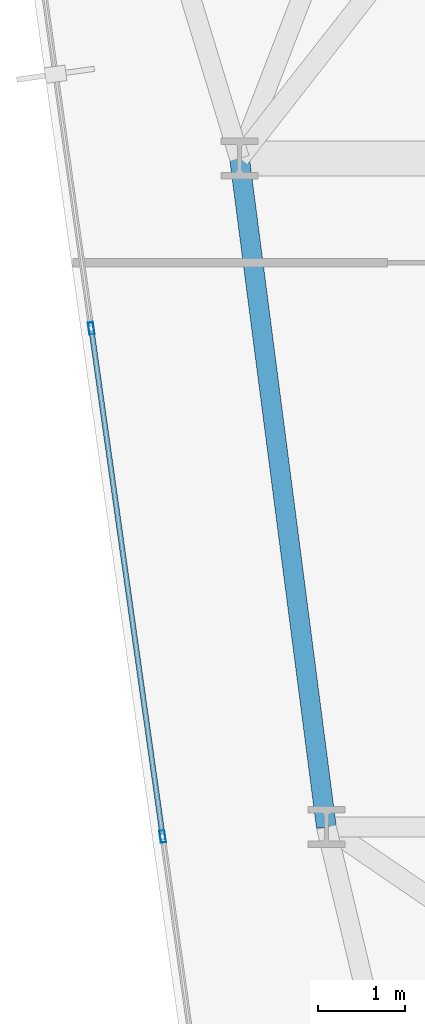
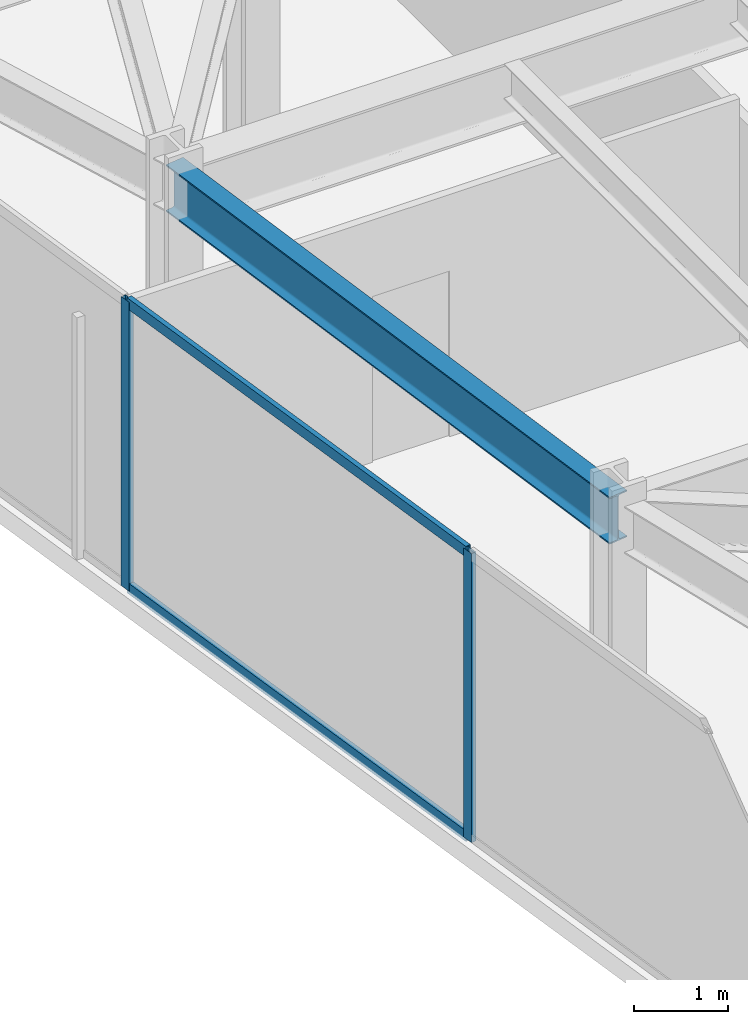
# One storey, part 5 of 26: 4 members, 1 beam, 1 element without a shape of its own.
"""IFC4 building model written with IfcOpenShell, lengths in metres."""

import ifcopenshell
import ifcopenshell.guid

model = None  # the IFC model being written
_history = None  # IfcOwnerHistory: only IFC2X3 demands one
_inside = {}  # id of a spatial element -> (the spatial element, [elements in it])
_under = {}  # id of a project, library or spatial element -> (it, [spatial elements below it])
_declared = {}  # id of a project -> (the project, [libraries it declares])
_typed = {}  # id of a type object -> (the type object, [elements of that type])
_made_of = {}  # id of a material, layer set ... -> (it, [elements and type objects made of it])


def new_model(schema):
    """Start an empty IFC model of exactly this schema.

    Asked for "IFC4X3", IfcOpenShell would pick the latest addendum, in which some entities
    have other attributes; the version numbers below select the first issue.
    IFC2X3 requires an IfcOwnerHistory on every rooted entity: one is made here for all.
    """
    global model, _history
    if schema == "IFC4X3":
        model = ifcopenshell.file(schema_version=(4, 3, 0, 0))
    else:
        model = ifcopenshell.file(schema=schema)
    _inside.clear()
    _under.clear()
    _declared.clear()
    _typed.clear()
    _made_of.clear()
    _history = None
    if model.schema == "IFC2X3":
        org = make("IfcOrganization", Name="unknown")
        user = make(
            "IfcPersonAndOrganization",
            ThePerson=make("IfcPerson", FamilyName="unknown"),
            TheOrganization=org,
        )
        app = make(
            "IfcApplication",
            ApplicationDeveloper=org,
            Version="unknown",
            ApplicationFullName="unknown",
            ApplicationIdentifier="unknown",
        )
        _history = make(
            "IfcOwnerHistory",
            OwningUser=user,
            OwningApplication=app,
            ChangeAction="ADDED",
            CreationDate=0,
        )
    return model


def make(cls, **values):
    """One entity of the class cls with the attributes given. An attribute that is None is left unset."""
    return model.create_entity(
        cls, **{name: value for name, value in values.items() if value is not None}
    )


def rooted(cls, **values):
    """An entity with a GlobalId (a new one), such as an element, a storey or a relation."""
    return make(cls, GlobalId=ifcopenshell.guid.new(), OwnerHistory=_history, **values)


def si_unit(unit_type, name, prefix=None):
    """IfcSIUnit, for example si_unit("LENGTHUNIT", "METRE", prefix="MILLI")."""
    return make("IfcSIUnit", UnitType=unit_type, Prefix=prefix, Name=name)


def assignment(units):
    """IfcUnitAssignment: the units of a project."""
    return None if units is None else make("IfcUnitAssignment", Units=units)


def point(xyz):
    """IfcCartesianPoint."""
    return None if xyz is None else make("IfcCartesianPoint", Coordinates=xyz)


def direction(xyz):
    """IfcDirection."""
    return None if xyz is None else make("IfcDirection", DirectionRatios=xyz)


def frame(location, z_axis=None, x_axis=None):
    """IfcAxis2Placement3D, a coordinate frame: its origin and axes. An axis left out is left unset."""
    return make(
        "IfcAxis2Placement3D",
        Location=point(location),
        Axis=direction(z_axis),
        RefDirection=direction(x_axis),
    )


def frame_2d(location, x_axis=None):
    """IfcAxis2Placement2D, a coordinate frame in the plane: its origin and x axis."""
    return make(
        "IfcAxis2Placement2D", Location=point(location), RefDirection=direction(x_axis)
    )


def origin():
    """The frame at (0, 0, 0) with its axes left unset."""
    return frame((0.0, 0.0, 0.0))


def origin_2d():
    """The frame at (0, 0) in the plane with its x axis left unset."""
    return frame_2d((0.0, 0.0))


def place(relative_to, where):
    """IfcLocalPlacement: puts the frame where relative to a parent placement (None: the world)."""
    return make(
        "IfcLocalPlacement", PlacementRelTo=relative_to, RelativePlacement=where
    )


def context(
    kind, dimensions, precision=None, world=None, true_north=None, identifier=None
):
    """IfcGeometricRepresentationContext, for example the 3D "Model" context."""
    return make(
        "IfcGeometricRepresentationContext",
        ContextIdentifier=identifier,
        ContextType=kind,
        CoordinateSpaceDimension=dimensions,
        Precision=precision,
        WorldCoordinateSystem=world,
        TrueNorth=true_north,
    )


def subcontext(parent, identifier, kind, view, scale=None):
    """IfcGeometricRepresentationSubContext, for example "Body" below "Model"."""
    return make(
        "IfcGeometricRepresentationSubContext",
        ContextIdentifier=identifier,
        ContextType=kind,
        ParentContext=parent,
        TargetScale=scale,
        TargetView=view,
    )


def project(units=None, contexts=None):
    """IfcProject with its units and contexts."""
    return rooted(
        "IfcProject",
        Name="project",
        RepresentationContexts=contexts,
        UnitsInContext=assignment(units),
    )


def spatial(cls, under=None, at=None, **own):
    """A site, building, storey or space (cls), placed at a placement, below another one or the project."""
    s = rooted(cls, ObjectPlacement=at, **own)
    if under is not None:
        _under.setdefault(under.id(), (under, []))[1].append(s)
    return s


def profile(cls, at=None, kind="AREA", **sizes):
    """A parametric profile (cls). Its sizes go by their IFC names, for example OverallWidth=200.0."""
    return make(cls, ProfileType=kind, Position=at, **sizes)


def hollow_rectangle(**sizes):
    """IfcRectangleHollowProfileDef."""
    return profile("IfcRectangleHollowProfileDef", **sizes)


def i_section(**sizes):
    """IfcIShapeProfileDef."""
    return profile("IfcIShapeProfileDef", **sizes)


def extrude(swept, where, along, depth):
    """IfcExtrudedAreaSolid: the profile swept, set in the frame where, extruded along a direction by depth."""
    return make(
        "IfcExtrudedAreaSolid",
        SweptArea=swept,
        Position=where,
        ExtrudedDirection=direction(along),
        Depth=depth,
    )


def shape(context_of_items, identifier, shape_type, items):
    """IfcShapeRepresentation: the items that make up one representation, for example the "Body"."""
    return make(
        "IfcShapeRepresentation",
        ContextOfItems=context_of_items,
        RepresentationIdentifier=identifier,
        RepresentationType=shape_type,
        Items=items,
    )


def material(Name=None, Category=None):
    """IfcMaterial."""
    return make("IfcMaterial", Name=Name, Category=Category)


def layer(
    of_material, thickness, ventilated=None, Name=None, Category=None, Priority=None
):
    """IfcMaterialLayer: one layer of a wall or slab, of a material (None: an air gap)."""
    return make(
        "IfcMaterialLayer",
        Material=of_material,
        LayerThickness=thickness,
        IsVentilated=ventilated,
        Name=Name,
        Category=Category,
        Priority=Priority,
    )


def layer_set(layers, Name=None):
    """IfcMaterialLayerSet."""
    return make("IfcMaterialLayerSet", MaterialLayers=layers, LayerSetName=Name)


def material_profile(
    of_material, cross_section, Name=None, Category=None, Priority=None
):
    """IfcMaterialProfile: a cross section and its material."""
    return make(
        "IfcMaterialProfile",
        Name=Name,
        Material=of_material,
        Profile=cross_section,
        Priority=Priority,
        Category=Category,
    )


def profile_set(profiles, Name=None, composite=None):
    """IfcMaterialProfileSet."""
    return make(
        "IfcMaterialProfileSet",
        Name=Name,
        MaterialProfiles=profiles,
        CompositeProfile=composite,
    )


def made_of(thing, what):
    """Note that an element or type object is made of a material, layer set ...; save() writes the relation."""
    if what is not None:
        _made_of.setdefault(what.id(), (what, []))[1].append(thing)
    return thing


def type_object(cls, material=None, **own):
    """A type object (cls), such as IfcWallType, which elements share."""
    return made_of(rooted(cls, **own), material)


def element(
    cls,
    number,
    at=None,
    inside=None,
    cuts=None,
    type_object=None,
    material=None,
    context=None,
    identifier="Body",
    shape_type=None,
    held_by="IfcProductDefinitionShape",
    body=None,
    shapes=None,
    **own,
):
    """One element of the class cls, such as IfcWall. Its Tag is "e" and its number.

    at: its placement. inside: the storey or other place that contains it. cuts: it is an
    opening in that element (IfcRelVoidsElement). A single representation is given by context,
    identifier, shape_type and body (its items); several are given by shapes. held_by: the class
    of the entity that holds the representations. save() writes the other relations.
    """
    e = rooted(cls, Tag="e%d" % number, ObjectPlacement=at, **own)
    if body is not None:
        shapes = [shape(context, identifier, shape_type, body)]
    if shapes is not None:
        e.Representation = make(held_by, Representations=shapes)
    if inside is not None:
        _inside.setdefault(inside.id(), (inside, []))[1].append(e)
    if cuts is not None:
        rooted(
            "IfcRelVoidsElement", RelatingBuildingElement=cuts, RelatedOpeningElement=e
        )
    if type_object is not None:
        _typed.setdefault(type_object.id(), (type_object, []))[1].append(e)
    return made_of(e, material)


def aggregate(whole, parts):
    """IfcRelAggregates: a whole, such as a stair, and the parts it consists of."""
    return rooted("IfcRelAggregates", RelatingObject=whole, RelatedObjects=parts)


def save(model, path):
    """Write the relations noted so far, then the file.

    IfcRelAggregates (storeys below a building ...), IfcRelContainedInSpatialStructure (elements
    in a storey), IfcRelDefinesByType, IfcRelAssociatesMaterial and IfcRelDeclares: one each for
    every whole, place, type object, material and project.
    """
    for whole, parts in _under.values():
        aggregate(whole, parts)
    for where, things in _inside.values():
        rooted(
            "IfcRelContainedInSpatialStructure",
            RelatedElements=things,
            RelatingStructure=where,
        )
    for kind, things in _typed.values():
        rooted("IfcRelDefinesByType", RelatedObjects=things, RelatingType=kind)
    for what, things in _made_of.values():
        rooted("IfcRelAssociatesMaterial", RelatedObjects=things, RelatingMaterial=what)
    for by, libraries in _declared.values():
        rooted("IfcRelDeclares", RelatingContext=by, RelatedDefinitions=libraries)
    model.write(path)


model = new_model("IFC4")

# Units and contexts
model_context = context("Model", 3, precision=1e-05, world=origin(), true_north=direction((0.0, 1.0)))
body_context = subcontext(model_context, "Body", "Model", "MODEL_VIEW")
ifc_project = project(units=[si_unit("LENGTHUNIT", "METRE"), si_unit("AREAUNIT", "SQUARE_METRE"), si_unit("VOLUMEUNIT", "CUBIC_METRE"), si_unit("PLANEANGLEUNIT", "RADIAN"), si_unit("MASSUNIT", "GRAM", prefix="KILO")], contexts=[model_context])

# Site, building, storey
site_placement = place(None, origin())
site = spatial("IfcSite", under=ifc_project, at=site_placement, CompositionType="ELEMENT")
building_placement = place(site_placement, origin())
building = spatial("IfcBuilding", under=site, at=building_placement, Name="Kravanh Interchange Tower", CompositionType="ELEMENT")
storey_placement = place(building_placement, frame((0.0, 0.0, 100.0)))
storey = spatial("IfcBuildingStorey", under=building, at=storey_placement, Name="L23", CompositionType="ELEMENT", Elevation=100.0)

# Curtain wall, members
ifc_material_1 = material(Name="Anodised Bronze Aluminium", Category="aluminium")
ifc_layer = layer(ifc_material_1, 0.179931640625)
ifc_layer_set = layer_set([ifc_layer], Name="Unitised Curtain Wall System CW-Z2 Mid Office")
curtain_wall_type = type_object("IfcCurtainWallType", Name="Unitised Curtain Wall System CW-Z2 Mid Office", PredefinedType="NOTDEFINED", material=ifc_layer_set)
curtain_wall_placement = place(storey_placement, origin())
curtain_wall = element("IfcCurtainWall", 1, at=curtain_wall_placement, inside=storey, type_object=curtain_wall_type, Name="L23 Unitised Curtain Wall CW-L23-01", PredefinedType="NOTDEFINED")
ifc_material_2 = material(Name="Anodised Bronze Aluminium", Category="aluminium")
ifc_material_profile_1 = material_profile(ifc_material_2, hollow_rectangle(XDim=0.06005859375, YDim=0.139892578125, WallThickness=0.00390625, at=origin_2d()), Name="ALU60X140X4")
ifc_profile_set_1 = profile_set([ifc_material_profile_1], Name="Anodised Bronze Aluminium")
member_type_1 = type_object("IfcMemberType", Name="Curtain Wall Mullion ALU60X140X4 Bronze", PredefinedType="MULLION", material=ifc_profile_set_1)
member_1_placement = place(storey_placement, frame((14.114990234375, 14.390869140625, 0.0), z_axis=(0.0, 0.0, 1.0), x_axis=(-0.990268103846, -0.13917285118, 0.0)))
member_1 = element("IfcMember", 2, at=member_1_placement, type_object=member_type_1, Name="CW-Z2 mullion 2", PredefinedType="MULLION", context=body_context, shape_type="SweptSolid", body=[
    extrude(hollow_rectangle(XDim=0.06005859375, YDim=0.139892578125, WallThickness=0.00390625, at=origin_2d()), origin(), (0.0, 0.0, 1.0), 3.75),
])
member_2_placement = place(storey_placement, frame((13.29248046875, 20.2431640625, 0.0), z_axis=(0.0, 0.0, 1.0), x_axis=(-0.990268103846, -0.13917285118, 0.0)))
member_2 = element("IfcMember", 3, at=member_2_placement, type_object=member_type_1, Name="CW-Z2 mullion 3", PredefinedType="MULLION", context=body_context, shape_type="SweptSolid", body=[
    extrude(hollow_rectangle(XDim=0.06005859375, YDim=0.139892578125, WallThickness=0.00390625, at=origin_2d()), origin(), (0.0, 0.0, 1.0), 3.75),
])
ifc_material_3 = material(Name="Anodised Bronze Aluminium", Category="aluminium")
ifc_material_profile_2 = material_profile(ifc_material_3, hollow_rectangle(XDim=0.06005859375, YDim=0.139892578125, WallThickness=0.00390625, at=origin_2d()), Name="ALU60X140X4")
ifc_profile_set_2 = profile_set([ifc_material_profile_2], Name="Anodised Bronze Aluminium")
member_type_2 = type_object("IfcMemberType", Name="Curtain Wall Transom ALU60X140X4 Bronze", PredefinedType="USERDEFINED", material=ifc_profile_set_2)
member_3_placement = place(storey_placement, frame((14.11083984375, 14.420654296875, 0.030029296875), z_axis=(-0.139183212647, 0.990266647584, 0.0), x_axis=(-0.990266647584, -0.139183212647, 0.0)))
member_3 = element("IfcMember", 4, at=member_3_placement, type_object=member_type_2, Name="CW-Z2 transom 2.1", ObjectType="TRANSOM", PredefinedType="USERDEFINED", context=body_context, shape_type="SweptSolid", body=[
    extrude(hollow_rectangle(XDim=0.06005859375, YDim=0.139892578125, WallThickness=0.00390625, at=origin_2d()), origin(), (0.0, 0.0, 1.0), 5.849853515625),
])
member_4_placement = place(storey_placement, frame((14.11083984375, 14.420654296875, 3.719970703125), z_axis=(-0.139183212647, 0.990266647584, 0.0), x_axis=(-0.990266647584, -0.139183212647, 0.0)))
member_4 = element("IfcMember", 5, at=member_4_placement, type_object=member_type_2, Name="CW-Z2 transom 2.2", ObjectType="TRANSOM", PredefinedType="USERDEFINED", context=body_context, shape_type="SweptSolid", body=[
    extrude(hollow_rectangle(XDim=0.06005859375, YDim=0.139892578125, WallThickness=0.00390625, at=origin_2d()), origin(), (0.0, 0.0, 1.0), 5.849853515625),
])
aggregate(curtain_wall, [member_1, member_2, member_3, member_4])

# Beam
ifc_material_4 = material(Name="Structural Steel S355", Category="steel")
ifc_material_profile_3 = material_profile(ifc_material_4, i_section(OverallWidth=0.22802734375, OverallDepth=0.60791015625, WebThickness=0.01123046875, FlangeThickness=0.017333984375, FilletRadius=0.02197265625, at=origin_2d()), Name="W24X76")
ifc_profile_set_3 = profile_set([ifc_material_profile_3], Name="Structural Steel S355")
beam_type = type_object("IfcBeamType", Name="Floor Spandrel W24X76 Structural Steel S355", PredefinedType="SPANDREL", material=ifc_profile_set_3)
beam_placement = place(storey_placement, frame((16.0, 14.5, 3.446044921875), z_axis=(-0.128789384125, 0.99167196922, 0.0), x_axis=(-0.99167196922, -0.128789384125, 0.0)))
element("IfcBeam", 6, at=beam_placement, inside=storey, type_object=beam_type, Name="L23 Perimeter Spandrel 100", PredefinedType="SPANDREL", context=body_context, shape_type="SweptSolid", body=[
    extrude(i_section(OverallWidth=0.22802734375, OverallDepth=0.60791015625, WebThickness=0.01123046875, FlangeThickness=0.017333984375, FilletRadius=0.02197265625, at=origin_2d()), origin(), (0.0, 0.0, 1.0), 7.7646484375),
])

save(model, "model.ifc")
